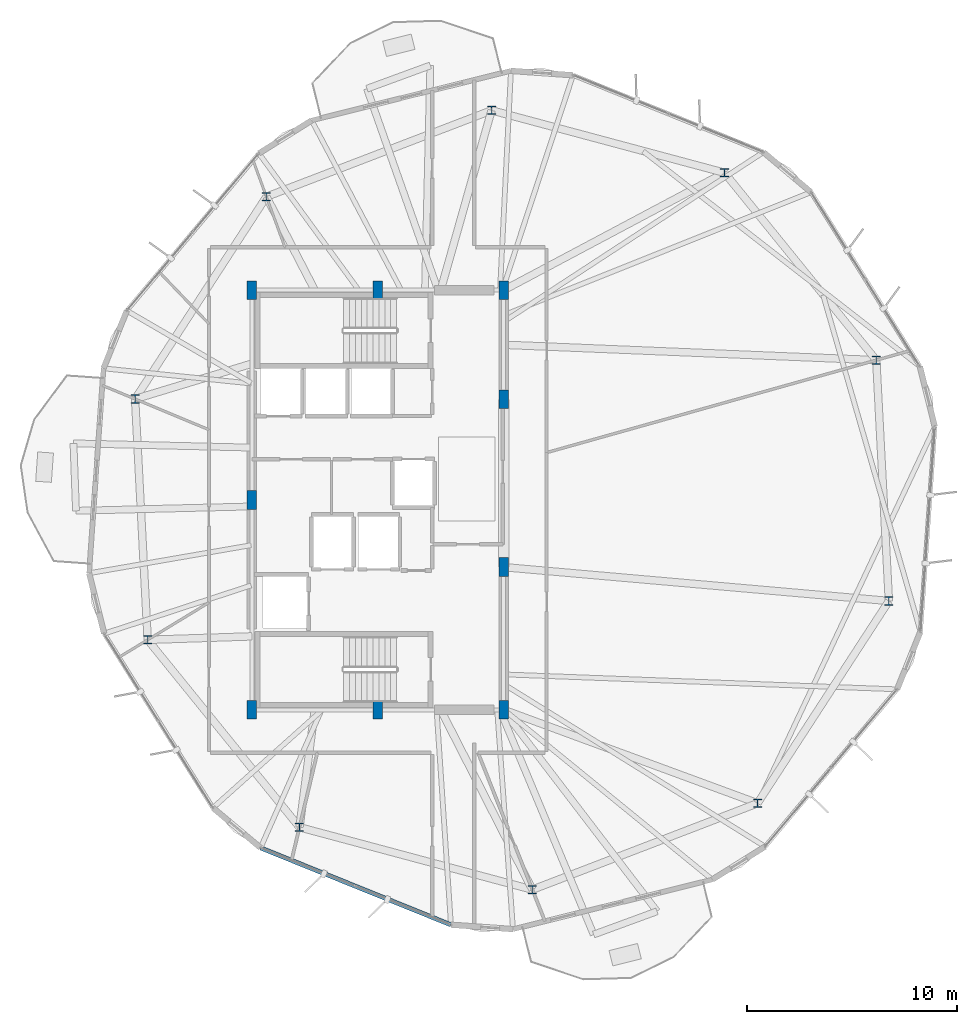
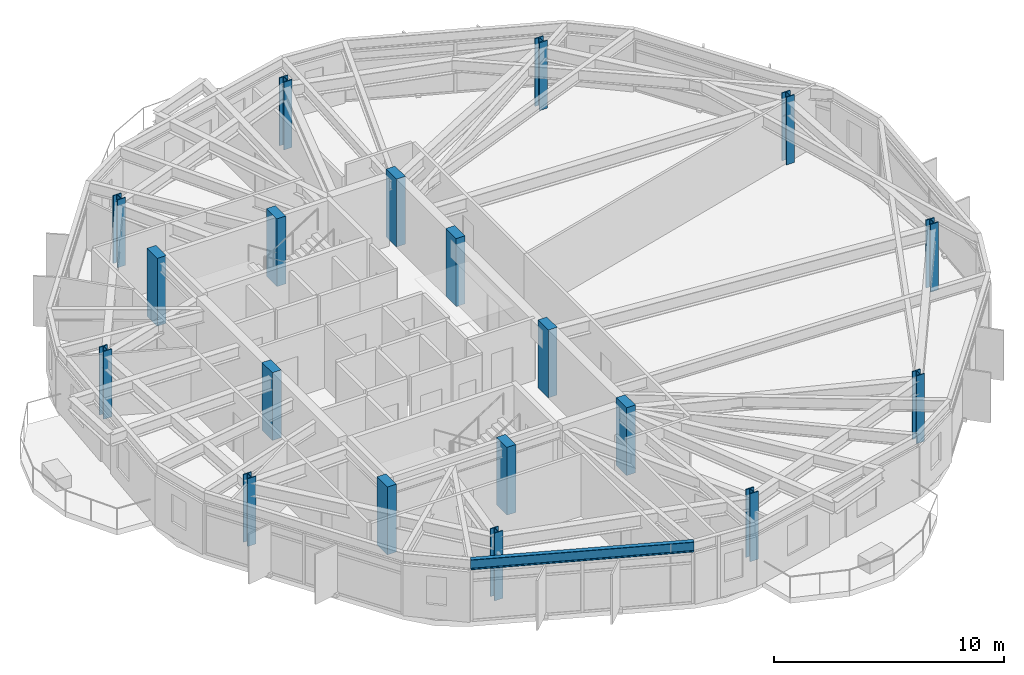
# One storey, part 1 of 23: 19 columns, 1 beam.
"""IFC4 building model written with IfcOpenShell, lengths in metres."""

from ifc_helpers import new_model, si_unit, direction, frame, origin, origin_2d, place, context, subcontext, project, spatial, rectangle, i_section, extrude, material, material_profile, profile_set, type_object, element, save


model = new_model("IFC4")

# Units and contexts
model_context = context("Model", 3, precision=1e-05, world=origin(), true_north=direction((0.0, 1.0)))
body_context = subcontext(model_context, "Body", "Model", "MODEL_VIEW")
ifc_project = project(units=[si_unit("LENGTHUNIT", "METRE"), si_unit("AREAUNIT", "SQUARE_METRE"), si_unit("VOLUMEUNIT", "CUBIC_METRE"), si_unit("PLANEANGLEUNIT", "RADIAN"), si_unit("MASSUNIT", "GRAM", prefix="KILO")], contexts=[model_context])

# Site, building, storey
site_placement = place(None, origin())
site = spatial("IfcSite", under=ifc_project, at=site_placement, CompositionType="ELEMENT")
building_placement = place(site_placement, origin())
building = spatial("IfcBuilding", under=site, at=building_placement, Name="Soratama Intermodal Tower", CompositionType="ELEMENT")
storey_placement = place(building_placement, frame((0.0, 0.0, 215.800048828125)))
storey = spatial("IfcBuildingStorey", under=building, at=storey_placement, Name="L54", CompositionType="ELEMENT", Elevation=215.800048828125)

# Columns
ifc_material_1 = material(Name="Structural steel ASTM A992 Grade 50", Category="steel")
ifc_material_profile_1 = material_profile(ifc_material_1, i_section(OverallWidth=0.406005859375, OverallDepth=0.416015625, WebThickness=0.02978515625, FlangeThickness=0.048095703125, FilletRadius=0.0380859375, at=origin_2d()), Name="W14X257")
ifc_profile_set_1 = profile_set([ifc_material_profile_1], Name="Structural steel ASTM A992 Grade 50")
column_type_1 = type_object("IfcColumnType", Name="COL-ZD-W14X257", PredefinedType="COLUMN", material=ifc_profile_set_1)
for number, where, z_axis, x_axis, name in (
    (1, (62.364501953125, 31.66552734375, 0.0), (0.0, 0.0, 1.0), (1.0, 0.0, 0.0), "L54 Tower Ring Column R01"),
    (2, (55.13037109375, 40.599365234375, 0.0), (0.0, 0.0, 1.0), (1.0, 0.0, 0.0), "L54 Tower Ring Column R02"),
    (3, (44.026611328125, 43.574462890625, 0.0), (0.0, 0.0, 1.0), (1.0, 0.0, 0.0), "L54 Tower Ring Column R03"),
    (4, (33.294677734375, 39.454833984375, 0.0), (0.0, 0.0, 1.0), (1.0, 0.0, 0.0), "L54 Tower Ring Column R04"),
    (5, (27.03369140625, 29.81396484375, 0.0), (0.0, 0.0, 1.0), (1.0, 0.0, 0.0), "L54 Tower Ring Column R05"),
    (6, (27.635498046875, 18.33447265625, 0.0), (0.0, 0.0, 1.0), (1.0, 0.0, 0.0), "L54 Tower Ring Column R06"),
    (7, (34.86962890625, 9.400634765625, 0.0), (0.0, 0.0, 1.0), (1.0, 0.0, 0.0), "L54 Tower Ring Column R07"),
    (8, (45.973388671875, 6.425537109375, 0.0), (0.0, 0.0, 1.0), (1.0, 0.0, 0.0), "L54 Tower Ring Column R08"),
    (9, (56.705322265625, 10.545166015625, 0.0), (0.0, 0.0, 1.0), (1.0, 0.0, 0.0), "L54 Tower Ring Column R09"),
    (10, (62.96630859375, 20.18603515625, 0.0), (0.0, 0.0, 1.0), (1.0, 0.0, 0.0), "L54 Tower Ring Column R10"),
):
    element("IfcColumn", number, at=place(storey_placement, frame(where, z_axis=z_axis, x_axis=x_axis)), inside=storey, type_object=column_type_1, Name=name, PredefinedType="COLUMN", context=body_context, shape_type="SweptSolid", body=[
        extrude(i_section(OverallWidth=0.406005859375, OverallDepth=0.416015625, WebThickness=0.02978515625, FlangeThickness=0.048095703125, FilletRadius=0.0380859375, at=origin_2d()), origin(), (0.0, 0.0, 1.0), 3.599853515625),
    ])
ifc_material_2 = material(Name="Concrete f'c 56 MPa", Category="concrete")
ifc_material_profile_2 = material_profile(ifc_material_2, rectangle(XDim=0.449951171875, YDim=0.89990234375, at=origin_2d()), Name="RC450X900")
ifc_profile_set_2 = profile_set([ifc_material_profile_2], Name="Concrete f'c 56 MPa")
column_type_2 = type_object("IfcColumnType", Name="PIL-CORE-450X900", PredefinedType="PILASTER", material=ifc_profile_set_2)
for number, where, z_axis, x_axis, name in (
    (11, (32.60009765625, 15.0, 0.0), (0.0, 0.0, 1.0), (1.0, 0.0, 0.0), "L54 Core Pilaster 1"),
    (12, (32.60009765625, 25.0, 0.0), (0.0, 0.0, 1.0), (1.0, 0.0, 0.0), "L54 Core Pilaster 2"),
    (13, (32.60009765625, 35.0, 0.0), (0.0, 0.0, 1.0), (1.0, 0.0, 0.0), "L54 Core Pilaster 3"),
    (14, (38.60009765625, 15.0, 0.0), (0.0, 0.0, 1.0), (1.0, 0.0, 0.0), "L54 Core Pilaster 4"),
    (15, (38.60009765625, 35.0, 0.0), (0.0, 0.0, 1.0), (1.0, 0.0, 0.0), "L54 Core Pilaster 5"),
    (16, (44.60009765625, 15.0, 0.0), (0.0, 0.0, 1.0), (1.0, 0.0, 0.0), "L54 Core Pilaster 6"),
    (17, (44.60009765625, 21.800048828125, 0.0), (0.0, 0.0, 1.0), (1.0, 0.0, 0.0), "L54 Core Pilaster 7"),
    (18, (44.60009765625, 29.800048828125, 0.0), (0.0, 0.0, 1.0), (1.0, 0.0, 0.0), "L54 Core Pilaster 8"),
    (19, (44.60009765625, 35.0, 0.0), (0.0, 0.0, 1.0), (1.0, 0.0, 0.0), "L54 Core Pilaster 9"),
):
    element("IfcColumn", number, at=place(storey_placement, frame(where, z_axis=z_axis, x_axis=x_axis)), inside=storey, type_object=column_type_2, Name=name, PredefinedType="PILASTER", context=body_context, shape_type="SweptSolid", body=[
        extrude(rectangle(XDim=0.449951171875, YDim=0.89990234375, at=origin_2d()), origin(), (0.0, 0.0, 1.0), 3.599853515625),
    ])

# Beam
ifc_material_3 = material(Name="Structural steel ASTM A992 Grade 50", Category="steel")
ifc_material_profile_3 = material_profile(ifc_material_3, i_section(OverallWidth=0.2099609375, OverallDepth=0.537109375, WebThickness=0.010986328125, FlangeThickness=0.017333984375, FilletRadius=0.012939453125, at=origin_2d()), Name="W21X68")
ifc_profile_set_3 = profile_set([ifc_material_profile_3], Name="Structural steel ASTM A992 Grade 50")
beam_type = type_object("IfcBeamType", Name="BM-SPN-W21X68", PredefinedType="SPANDREL", material=ifc_profile_set_3)
beam_placement = place(storey_placement, frame((33.013916015625, 8.4189453125, 3.031494140625), z_axis=(0.92704589597, -0.374947872063, 0.0), x_axis=(0.374947872063, 0.92704589597, 0.0)))
element("IfcBeam", 20, at=beam_placement, inside=storey, type_object=beam_type, Name="BS-L54-F06", PredefinedType="SPANDREL", context=body_context, shape_type="SweptSolid", body=[
    extrude(i_section(OverallWidth=0.2099609375, OverallDepth=0.537109375, WebThickness=0.010986328125, FlangeThickness=0.017333984375, FilletRadius=0.012939453125, at=origin_2d()), origin(), (0.0, 0.0, 1.0), 9.79052734375),
])

save(model, "model.ifc")
